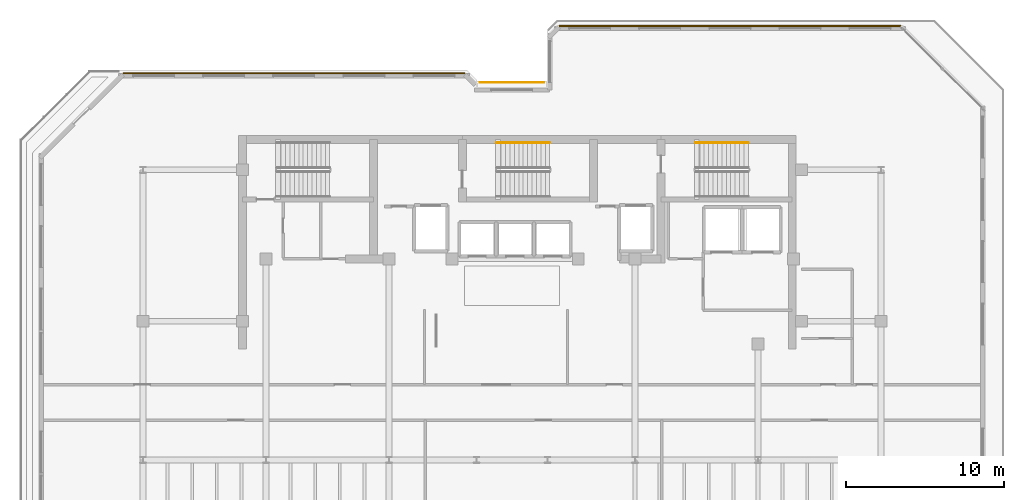
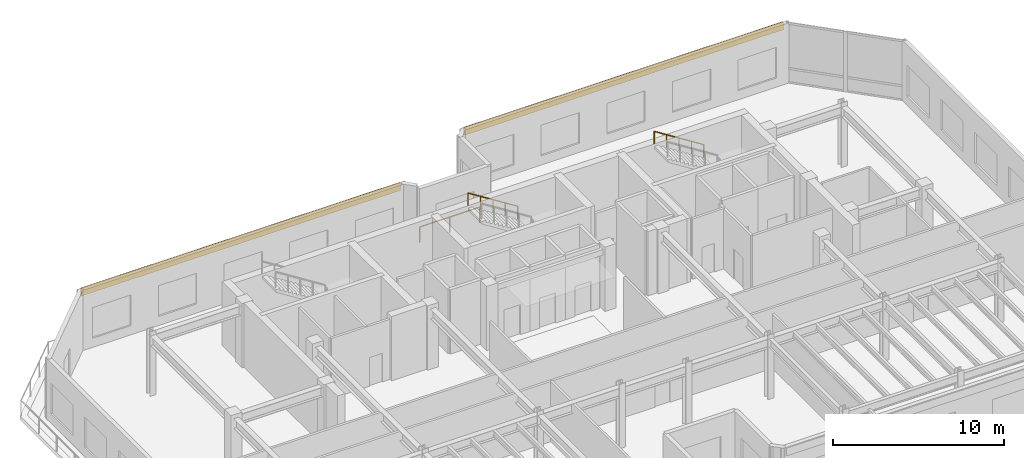
# One storey, part 14 of 14: 3 railings, 2 coverings.
"""IFC4 building model written with IfcOpenShell, lengths in metres."""

from ifc_helpers import new_model, si_unit, direction, frame, origin, origin_2d, place, context, subcontext, project, spatial, rectangle, circle, extrude, material, layer, layer_set, type_object, element, save


model = new_model("IFC4")

# Units and contexts
model_context = context("Model", 3, precision=1e-05, world=origin(), true_north=direction((0.0, 1.0)))
body_context = subcontext(model_context, "Body", "Model", "MODEL_VIEW")
ifc_project = project(units=[si_unit("LENGTHUNIT", "METRE"), si_unit("AREAUNIT", "SQUARE_METRE"), si_unit("VOLUMEUNIT", "CUBIC_METRE"), si_unit("PLANEANGLEUNIT", "RADIAN"), si_unit("MASSUNIT", "GRAM", prefix="KILO")], contexts=[model_context])

# Site, building, storey
site_placement = place(None, origin())
site = spatial("IfcSite", under=ifc_project, at=site_placement, CompositionType="ELEMENT")
building_placement = place(site_placement, origin())
building = spatial("IfcBuilding", under=site, at=building_placement, Name="Kestravale Grand Hotel", CompositionType="ELEMENT")
storey_placement = place(building_placement, frame((0.0, 0.0, 297.39990234375)))
storey = spatial("IfcBuildingStorey", under=building, at=storey_placement, Name="L74", CompositionType="ELEMENT", Elevation=297.39990234375)

# Coverings
ifc_material_1 = material(Name="Warm limestone-toned fluted architectural precast cladding", Category="masonry")
ifc_layer = layer(ifc_material_1, 0.074951171875)
ifc_layer_set = layer_set([ifc_layer], Name="COV-CLAD-LIM")
covering_type = type_object("IfcCoveringType", Name="COV-CLAD-LIM", PredefinedType="CLADDING", material=ifc_layer_set)
for number, where, z_axis, x_axis, name in (
    (1, (52.824951171875, 47.514892578125, 3.73486328125), (0.0, 0.0, 1.0), (-1.0, 0.0, 0.0), "L74 fluted limestone spandrel cladding 11"),
    (2, (25.175048828125, 44.514892578125, 3.73486328125), (0.0, 0.0, 1.0), (-1.0, 0.0, 0.0), "L74 fluted limestone spandrel cladding 17"),
):
    element("IfcCovering", number, at=place(storey_placement, frame(where, z_axis=z_axis, x_axis=x_axis)), inside=storey, type_object=covering_type, Name=name, PredefinedType="CLADDING", context=body_context, shape_type="SweptSolid", body=[
        extrude(rectangle(XDim=21.6298828125, YDim=0.074951171875, at=origin_2d()), origin(), (0.0, 0.0, 1.0), 0.550048828125),
    ])

# Railings
ifc_material_2 = material(Name="Champagne-bronze stainless steel and laminated glass guard", Category="steel")
railing_type_1 = type_object("IfcRailingType", Name="RL-EXT-1100", PredefinedType="GUARDRAIL", material=ifc_material_2)
railing_1_placement = place(storey_placement, frame((36.96630859375, 43.93994140625, 0.0)))
element("IfcRailing", 3, at=railing_1_placement, inside=storey, type_object=railing_type_1, Name="L74 outdoor terrace guard 2", PredefinedType="GUARDRAIL", context=body_context, shape_type="SweptSolid", body=[
    extrude(circle(Radius=0.02392578125, at=origin_2d()), frame((0.0, 0.0, 1.09619140625), z_axis=(1.0, 0.0, 0.0), x_axis=(0.0, 1.0, 0.0)), (0.0, 0.0, 1.0), 4.063720703125),
    extrude(circle(Radius=0.02099609375, at=origin_2d()), origin(), (0.0, 0.0, 1.0), 1.072021484375),
    extrude(circle(Radius=0.02099609375, at=origin_2d()), frame((2.03173828125, 0.0, 0.0)), (0.0, 0.0, 1.0), 1.072021484375),
    extrude(circle(Radius=0.02099609375, at=origin_2d()), frame((4.063720703125, 0.0, 0.0)), (0.0, 0.0, 1.0), 1.072021484375),
])
ifc_material_3 = material(Name="Brushed stainless steel wall handrail", Category="steel")
railing_type_2 = type_object("IfcRailingType", Name="RL-ST-HND900", PredefinedType="HANDRAIL", material=ifc_material_3)
railing_2_placement = place(storey_placement, frame((41.389892578125, 40.110107421875, 2.47705078125)))
element("IfcRailing", 4, at=railing_2_placement, inside=storey, type_object=railing_type_2, Name="L74 ST-2 stair handrail 2", PredefinedType="HANDRAIL", context=body_context, shape_type="SweptSolid", body=[
    extrude(circle(Radius=0.02392578125, at=origin_2d()), frame((0.0, 0.0, 0.8759765625), z_axis=(-0.845372108799, 0.0, 0.534177870812), x_axis=(0.0, -1.0, 0.0)), (0.0, 0.0, 1.0), 3.974365234375),
    extrude(circle(Radius=0.02099609375, at=origin_2d()), origin(), (0.0, 0.0, 1.0), 0.851806640625),
    extrude(circle(Radius=0.02099609375, at=origin_2d()), frame((-0.83984375, 0.0, 0.53076171875)), (0.0, 0.0, 1.0), 0.851806640625),
    extrude(circle(Radius=0.02099609375, at=origin_2d()), frame((-1.679931640625, 0.0, 1.0615234375)), (0.0, 0.0, 1.0), 0.851806640625),
    extrude(circle(Radius=0.02099609375, at=origin_2d()), frame((-2.52001953125, 0.0, 1.59228515625)), (0.0, 0.0, 1.0), 0.851806640625),
    extrude(circle(Radius=0.02099609375, at=origin_2d()), frame((-3.35986328125, 0.0, 2.123046875)), (0.0, 0.0, 1.0), 0.851806640625),
])
railing_3_placement = place(storey_placement, frame((53.989990234375, 40.110107421875, 2.47705078125)))
element("IfcRailing", 5, at=railing_3_placement, inside=storey, type_object=railing_type_2, Name="L74 ST-3 stair handrail 2", PredefinedType="HANDRAIL", context=body_context, shape_type="SweptSolid", body=[
    extrude(circle(Radius=0.02392578125, at=origin_2d()), frame((0.0, 0.0, 0.8759765625), z_axis=(-0.845389635667, 0.0, 0.534150132366), x_axis=(0.0, -1.0, 0.0)), (0.0, 0.0, 1.0), 3.974609375),
    extrude(circle(Radius=0.02099609375, at=origin_2d()), origin(), (0.0, 0.0, 1.0), 0.851806640625),
    extrude(circle(Radius=0.02099609375, at=origin_2d()), frame((-0.840087890625, 0.0, 0.53076171875)), (0.0, 0.0, 1.0), 0.851806640625),
    extrude(circle(Radius=0.02099609375, at=origin_2d()), frame((-1.68017578125, 0.0, 1.0615234375)), (0.0, 0.0, 1.0), 0.851806640625),
    extrude(circle(Radius=0.02099609375, at=origin_2d()), frame((-2.52001953125, 0.0, 1.59228515625)), (0.0, 0.0, 1.0), 0.851806640625),
    extrude(circle(Radius=0.02099609375, at=origin_2d()), frame((-3.360107421875, 0.0, 2.123046875)), (0.0, 0.0, 1.0), 0.851806640625),
])

save(model, "model.ifc")
